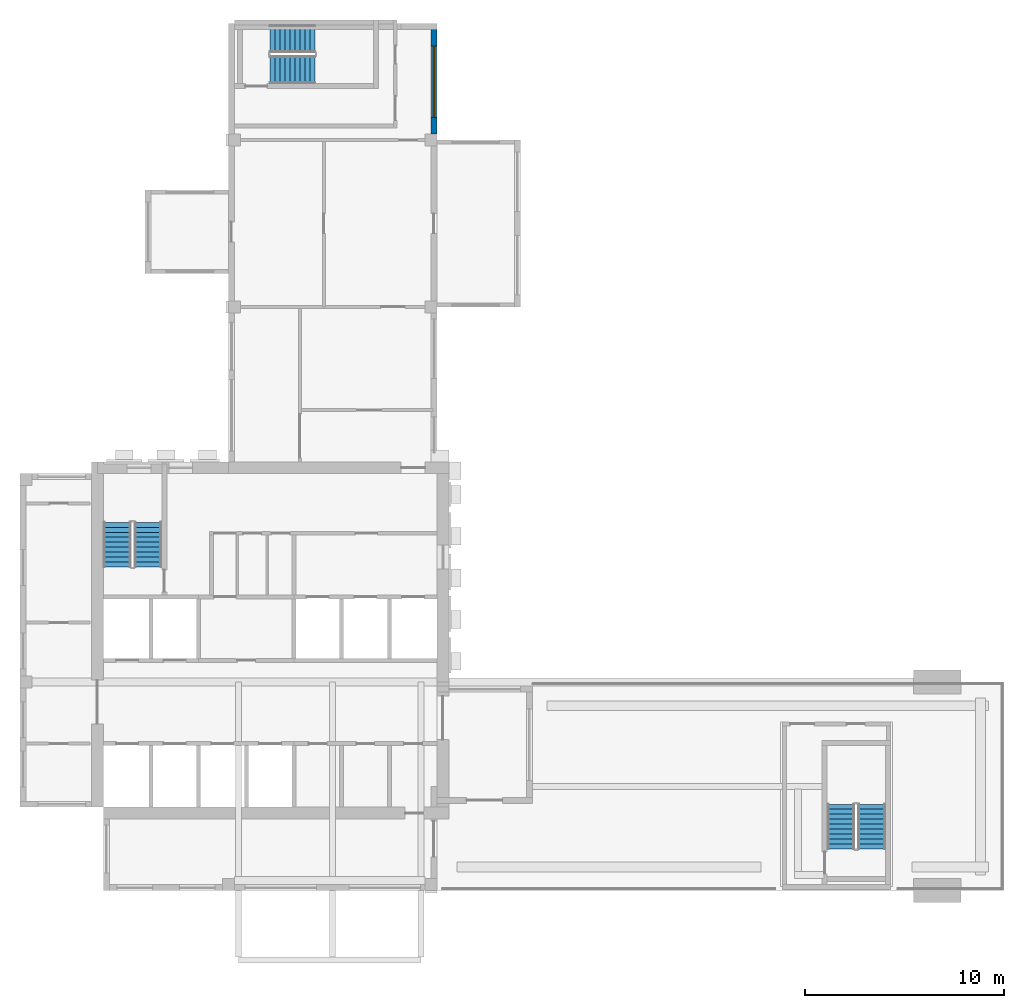
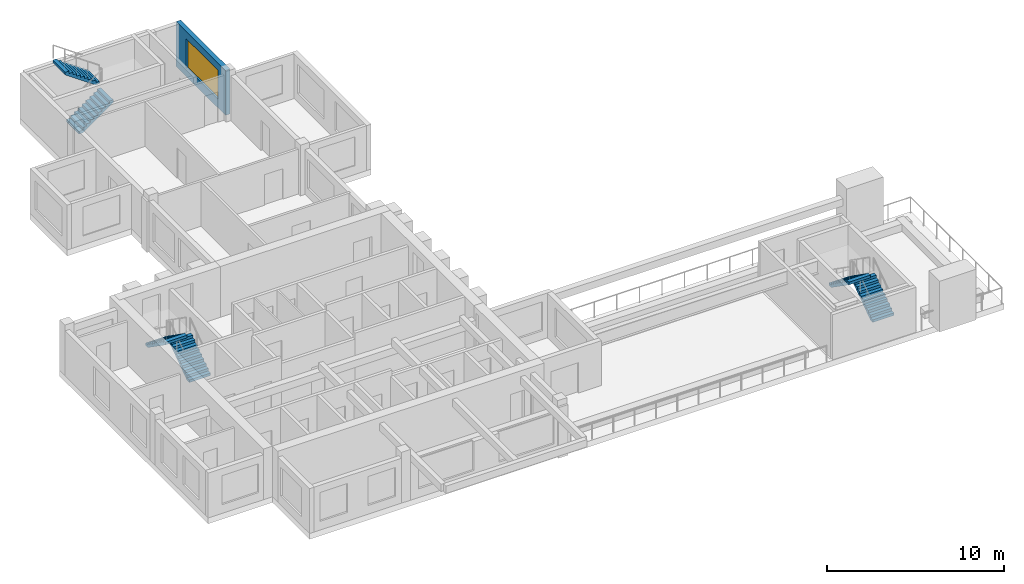
# One storey, part 5 of 9: 6 stair flights, 1 wall, 1 window, 1 opening, 3 elements without a shape of their own.
"""IFC4 building model written with IfcOpenShell, lengths in metres."""

from ifc_helpers import new_model, si_unit, direction, frame, frame_2d, origin, place, context, subcontext, project, spatial, polyline, rectangle, outline, extrude, source, transform, mapped, material, layer, layer_set, type_object, element, fill, aggregate, save


model = new_model("IFC4")

# Units and contexts
model_context = context("Model", 3, precision=1e-05, world=origin(), true_north=direction((0.0, 1.0)))
body_context = subcontext(model_context, "Body", "Model", "MODEL_VIEW")
ifc_project = project(units=[si_unit("LENGTHUNIT", "METRE"), si_unit("AREAUNIT", "SQUARE_METRE"), si_unit("VOLUMEUNIT", "CUBIC_METRE"), si_unit("PLANEANGLEUNIT", "RADIAN"), si_unit("MASSUNIT", "GRAM", prefix="KILO")], contexts=[model_context])

# Site, building, storey
site_placement = place(None, origin())
site = spatial("IfcSite", under=ifc_project, at=site_placement, CompositionType="ELEMENT")
building_placement = place(site_placement, origin())
building = spatial("IfcBuilding", under=site, at=building_placement, Name="Aurelian Terraces", CompositionType="ELEMENT")
storey_placement = place(building_placement, frame((0.0, 0.0, 330.0)))
storey = spatial("IfcBuildingStorey", under=building, at=storey_placement, Name="L77", CompositionType="ELEMENT", Elevation=330.0)

# Wall, opening, window
ifc_material_1 = material(Name="Terracotta rainscreen cladding", Category="masonry")
ifc_layer = layer(ifc_material_1, 0.3)
ifc_layer_set = layer_set([ifc_layer], Name="EW-300")
wall_type = type_object("IfcWallType", Name="EW-300", PredefinedType="STANDARD", material=ifc_layer_set)
shared_shape_1 = source(origin(), body_context, "Body", "SweptSolid", [
    extrude(rectangle(XDim=5.58, YDim=0.3, at=frame_2d((2.79, 0.0))), origin(), (0.0, 0.0, 1.0), 3.1),
])
wall_placement = place(storey_placement, frame((20.85, 38.1, 0.0), z_axis=(0.0, 0.0, 1.0), x_axis=(0.0, 1.0, 0.0)))
wall = element("IfcWall", 1, at=wall_placement, inside=storey, type_object=wall_type, Name="External wall L77 F02.8", PredefinedType="STANDARD", context=body_context, shape_type="MappedRepresentation", body=[
    mapped(shared_shape_1, transform((0.0, 0.0, 0.0), scale=1.0)),
])
shared_shape_2 = source(origin(), body_context, "Body", "SweptSolid", [
    extrude(rectangle(XDim=3.6, YDim=2.0, at=frame_2d((1.8, 1.0))), frame((0.0, 0.16, 0.0), z_axis=(0.0, -1.0, 0.0), x_axis=(1.0, 0.0, 0.0)), (0.0, 0.0, 1.0), 0.32),
])
opening_placement = place(wall_placement, frame((0.84, 0.0, 0.6)))
opening = element("IfcOpeningElement", 2, at=opening_placement, cuts=wall, Name="Opening W3620", PredefinedType="OPENING", context=body_context, shape_type="MappedRepresentation", body=[
    mapped(shared_shape_2, transform((0.0, 0.0, 0.0), scale=1.0)),
])
ifc_material_2 = material(Name="Clear glazing", Category="glass")
window_type = type_object("IfcWindowType", Name="W-3600x2000", PartitioningType="SINGLE_PANEL", PredefinedType="WINDOW", material=ifc_material_2)
shared_shape_3 = source(origin(), body_context, "Body", "SweptSolid", [
    extrude(rectangle(XDim=3.6, YDim=2.0, at=frame_2d((1.8, 1.0))), frame((0.0, 0.03, 0.0), z_axis=(0.0, -1.0, 0.0), x_axis=(1.0, 0.0, 0.0)), (0.0, 0.0, 1.0), 0.06),
])
window_placement = place(opening_placement, origin())
window = element("IfcWindow", 3, at=window_placement, inside=storey, type_object=window_type, Name="Window L77 L77-F02-08-0", OverallHeight=2.0, OverallWidth=3.6, PartitioningType="SINGLE_PANEL", PredefinedType="WINDOW", context=body_context, shape_type="MappedRepresentation", body=[
    mapped(shared_shape_3, transform((0.0, 0.0, 0.0), scale=1.0)),
])
fill(opening, window)

# Stair, stair flights
ifc_material_3 = material(Name="Concrete fc' 40 MPa", Category="concrete")
stair_type = type_object("IfcStairType", Name="Stair 1400", PredefinedType="HALF_TURN_STAIR", material=ifc_material_3)
stair_1_placement = place(storey_placement, origin())
stair_1 = element("IfcStair", 4, at=stair_1_placement, inside=storey, type_object=stair_type, Name="L77 S1", PredefinedType="HALF_TURN_STAIR")
stair_flight_type = type_object("IfcStairFlightType", Name="Stair flight 1400", PredefinedType="STRAIGHT", material=ifc_material_3)
shared_shape_4 = source(origin(), body_context, "Body", "SweptSolid", [
    extrude(outline(polyline([(0.0, 0.0), (0.0, 0.175), (0.25, 0.175), (0.25, 0.35), (0.5, 0.35), (0.5, 0.525), (0.75, 0.525), (0.75, 0.7), (1.0, 0.7), (1.0, 0.875), (1.25, 0.875), (1.25, 1.05), (1.5, 1.05), (1.5, 1.225), (1.75, 1.225), (1.75, 1.4), (2.0, 1.4), (2.0, 1.575), (2.25, 1.575), (2.25, 1.75), (2.25, 1.3919), (0.2616, 0.0), (0.0, 0.0)])), frame((0.0, 0.7, 0.0), z_axis=(0.0, -1.0, 0.0), x_axis=(1.0, 0.0, 0.0)), (0.0, 0.0, 1.0), 1.4),
])
stair_flight_1_placement = place(storey_placement, frame((6.45, 16.3, 2e-08), z_axis=(0.0, 0.0, 1.0), x_axis=(0.0, 1.0, 0.0)))
stair_flight_1 = element("IfcStairFlight", 5, at=stair_flight_1_placement, type_object=stair_flight_type, Name="S1 flight 1", NumberOfRisers=10, NumberOfTreads=9, PredefinedType="STRAIGHT", RiserHeight=0.175, TreadLength=0.25, context=body_context, shape_type="MappedRepresentation", body=[
    mapped(shared_shape_4, transform((0.0, 0.0, 0.0), scale=1.0)),
])
stair_flight_2_placement = place(storey_placement, frame((4.9, 18.55, 1.75000002), z_axis=(0.0, 0.0, 1.0), x_axis=(0.0, -1.0, 0.0)))
stair_flight_2 = element("IfcStairFlight", 6, at=stair_flight_2_placement, type_object=stair_flight_type, Name="S1 flight 2", NumberOfRisers=10, NumberOfTreads=9, PredefinedType="STRAIGHT", RiserHeight=0.175, TreadLength=0.25, context=body_context, shape_type="MappedRepresentation", body=[
    mapped(shared_shape_4, transform((0.0, 0.0, 0.0), scale=1.0)),
])
aggregate(stair_1, [stair_flight_1, stair_flight_2])

stair_2_placement = place(storey_placement, origin())
stair_2 = element("IfcStair", 7, at=stair_2_placement, inside=storey, type_object=stair_type, Name="L77 S2", PredefinedType="HALF_TURN_STAIR")
stair_flight_3_placement = place(storey_placement, frame((42.9, 2.1, 2e-08), z_axis=(0.0, 0.0, 1.0), x_axis=(0.0, 1.0, 0.0)))
stair_flight_3 = element("IfcStairFlight", 8, at=stair_flight_3_placement, type_object=stair_flight_type, Name="S2 flight 1", NumberOfRisers=10, NumberOfTreads=9, PredefinedType="STRAIGHT", RiserHeight=0.175, TreadLength=0.25, context=body_context, shape_type="MappedRepresentation", body=[
    mapped(shared_shape_4, transform((0.0, 0.0, 0.0), scale=1.0)),
])
stair_flight_4_placement = place(storey_placement, frame((41.35, 4.35, 1.75000002), z_axis=(0.0, 0.0, 1.0), x_axis=(0.0, -1.0, 0.0)))
stair_flight_4 = element("IfcStairFlight", 9, at=stair_flight_4_placement, type_object=stair_flight_type, Name="S2 flight 2", NumberOfRisers=10, NumberOfTreads=9, PredefinedType="STRAIGHT", RiserHeight=0.175, TreadLength=0.25, context=body_context, shape_type="MappedRepresentation", body=[
    mapped(shared_shape_4, transform((0.0, 0.0, 0.0), scale=1.0)),
])
aggregate(stair_2, [stair_flight_3, stair_flight_4])

stair_3_placement = place(storey_placement, origin())
stair_3 = element("IfcStair", 10, at=stair_3_placement, inside=storey, type_object=stair_type, Name="L77 S3U", PredefinedType="HALF_TURN_STAIR")
stair_flight_5_placement = place(storey_placement, frame((12.6, 41.35, 2e-08), z_axis=(0.0, 0.0, 1.0), x_axis=(1.0, 0.0, 0.0)))
stair_flight_5 = element("IfcStairFlight", 11, at=stair_flight_5_placement, type_object=stair_flight_type, Name="S3U flight 1", NumberOfRisers=10, NumberOfTreads=9, PredefinedType="STRAIGHT", RiserHeight=0.175, TreadLength=0.25, context=body_context, shape_type="MappedRepresentation", body=[
    mapped(shared_shape_4, transform((0.0, 0.0, 0.0), scale=1.0)),
])
stair_flight_6_placement = place(storey_placement, frame((14.85, 42.9, 1.75000002), z_axis=(0.0, 0.0, 1.0), x_axis=(-1.0, 0.0, 0.0)))
stair_flight_6 = element("IfcStairFlight", 12, at=stair_flight_6_placement, type_object=stair_flight_type, Name="S3U flight 2", NumberOfRisers=10, NumberOfTreads=9, PredefinedType="STRAIGHT", RiserHeight=0.175, TreadLength=0.25, context=body_context, shape_type="MappedRepresentation", body=[
    mapped(shared_shape_4, transform((0.0, 0.0, 0.0), scale=1.0)),
])
aggregate(stair_3, [stair_flight_5, stair_flight_6])

save(model, "model.ifc")
